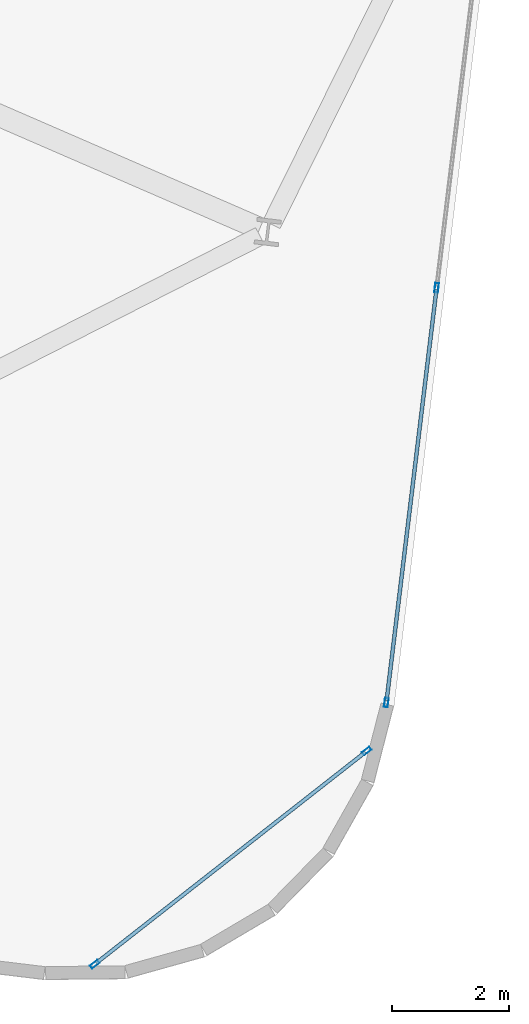
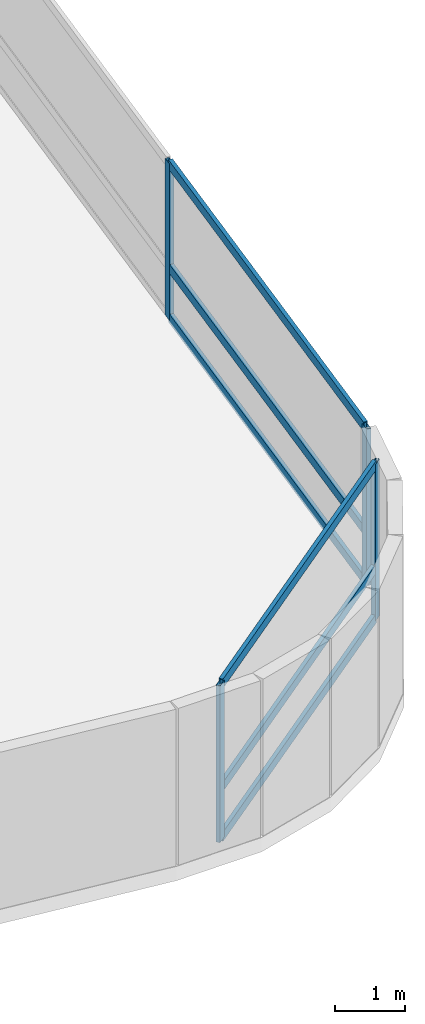
# One storey, part 14 of 26: 10 members, 2 elements without a shape of their own.
"""IFC4 building model written with IfcOpenShell, lengths in metres."""

from ifc_helpers import new_model, si_unit, direction, frame, origin, origin_2d, place, context, subcontext, project, spatial, hollow_rectangle, extrude, material, layer, layer_set, material_profile, profile_set, type_object, element, aggregate, save


model = new_model("IFC4")

# Units and contexts
model_context = context("Model", 3, precision=1e-05, world=origin(), true_north=direction((0.0, 1.0)))
body_context = subcontext(model_context, "Body", "Model", "MODEL_VIEW")
ifc_project = project(units=[si_unit("LENGTHUNIT", "METRE"), si_unit("AREAUNIT", "SQUARE_METRE"), si_unit("VOLUMEUNIT", "CUBIC_METRE"), si_unit("PLANEANGLEUNIT", "RADIAN"), si_unit("MASSUNIT", "GRAM", prefix="KILO")], contexts=[model_context])

# Site, building, storey
site_placement = place(None, origin())
site = spatial("IfcSite", under=ifc_project, at=site_placement, CompositionType="ELEMENT")
building_placement = place(site_placement, origin())
building = spatial("IfcBuilding", under=site, at=building_placement, Name="Varnelok Gate Tower", CompositionType="ELEMENT")
storey_placement = place(building_placement, frame((0.0, 0.0, 151.300048828125)))
storey = spatial("IfcBuildingStorey", under=building, at=storey_placement, Name="L38", CompositionType="ELEMENT", Elevation=151.300048828125)

# Curtain wall, members
ifc_material = material(Name="Anodized Aluminum Alloy 6063-T6", Category="aluminium")
ifc_layer_1 = layer(ifc_material, 0.179931640625)
ifc_layer_set_1 = layer_set([ifc_layer_1], Name="Anodized Aluminum Alloy 6063-T6")
curtain_wall_type_1 = type_object("IfcCurtainWallType", Name="CW3-HOTEL-VISION", PredefinedType="USERDEFINED", material=ifc_layer_set_1)
curtain_wall_1_placement = place(storey_placement, origin())
curtain_wall_1 = element("IfcCurtainWall", 1, at=curtain_wall_1_placement, inside=storey, type_object=curtain_wall_type_1, Name="L38 East End Vision Curtain Wall", ObjectType="UNITISED CURTAIN WALL", PredefinedType="USERDEFINED")
ifc_material_profile_1 = material_profile(ifc_material, hollow_rectangle(XDim=0.06494140625, YDim=0.159912109375, WallThickness=0.00390625, at=origin_2d()), Name="ALU160X65X4")
ifc_profile_set_1 = profile_set([ifc_material_profile_1], Name="Anodized Aluminum Alloy 6063-T6")
member_type_1 = type_object("IfcMemberType", Name="CW-MULL-160", PredefinedType="MULLION", material=ifc_profile_set_1)
member_1_placement = place(storey_placement, frame((74.69091796875, 10.118408203125, 0.0), z_axis=(0.0, 0.0, 1.0), x_axis=(0.99273188146, -0.120347046212, 0.0)))
member_1 = element("IfcMember", 2, at=member_1_placement, type_object=member_type_1, Name="CW3 mullion 5", PredefinedType="MULLION", context=body_context, shape_type="SweptSolid", body=[
    extrude(hollow_rectangle(XDim=0.06494140625, YDim=0.159912109375, WallThickness=0.00390625, at=origin_2d()), origin(), (0.0, 0.0, 1.0), 2.72998046875),
])
member_2_placement = place(storey_placement, frame((73.828369140625, 3.003173828125, 0.0), z_axis=(0.0, 0.0, 1.0), x_axis=(0.99273188146, -0.120347046212, 0.0)))
member_2 = element("IfcMember", 3, at=member_2_placement, type_object=member_type_1, Name="CW3 mullion 6", PredefinedType="MULLION", context=body_context, shape_type="SweptSolid", body=[
    extrude(hollow_rectangle(XDim=0.06494140625, YDim=0.159912109375, WallThickness=0.00390625, at=origin_2d()), origin(), (0.0, 0.0, 1.0), 2.72998046875),
])

ifc_layer_2 = layer(ifc_material, 0.179931640625)
ifc_layer_set_2 = layer_set([ifc_layer_2], Name="Anodized Aluminum Alloy 6063-T6")
curtain_wall_type_2 = type_object("IfcCurtainWallType", Name="CW5-WINDCORNER-GLAZ", PredefinedType="USERDEFINED", material=ifc_layer_set_2)
curtain_wall_2_placement = place(storey_placement, origin())
curtain_wall_2 = element("IfcCurtainWall", 4, at=curtain_wall_2_placement, inside=storey, type_object=curtain_wall_type_2, Name="L38 Wind-Shaped Corner Curtain Wall SE", ObjectType="STRUCTURAL GLAZING", PredefinedType="USERDEFINED")
member_3_placement = place(storey_placement, frame((68.824462890625, -1.48681640625, 0.0), z_axis=(0.0, 0.0, 1.0), x_axis=(-0.616864352232, 0.787069482921, 0.0)))
member_3 = element("IfcMember", 5, at=member_3_placement, type_object=member_type_1, Name="CW5 mullion 1", PredefinedType="MULLION", context=body_context, shape_type="SweptSolid", body=[
    extrude(hollow_rectangle(XDim=0.06494140625, YDim=0.159912109375, WallThickness=0.00390625, at=origin_2d()), origin(), (0.0, 0.0, 1.0), 2.72998046875),
])
member_4_placement = place(storey_placement, frame((73.492919921875, 2.171875, 0.0), z_axis=(0.0, 0.0, 1.0), x_axis=(-0.616864352232, 0.787069482921, 0.0)))
member_4 = element("IfcMember", 6, at=member_4_placement, type_object=member_type_1, Name="CW5 mullion 2", PredefinedType="MULLION", context=body_context, shape_type="SweptSolid", body=[
    extrude(hollow_rectangle(XDim=0.06494140625, YDim=0.159912109375, WallThickness=0.00390625, at=origin_2d()), origin(), (0.0, 0.0, 1.0), 2.72998046875),
])

# Member
ifc_material_profile_2 = material_profile(ifc_material, hollow_rectangle(XDim=0.06494140625, YDim=0.159912109375, WallThickness=0.00390625, at=origin_2d()), Name="ALU160X65X4")
ifc_profile_set_2 = profile_set([ifc_material_profile_2], Name="Anodized Aluminum Alloy 6063-T6")
member_type_2 = type_object("IfcMemberType", Name="CW-TRAN-160", PredefinedType="USERDEFINED", material=ifc_profile_set_2)
member_5_placement = place(storey_placement, frame((74.68701171875, 10.086181640625, 0.032470703125), z_axis=(-0.120344712857, -0.992732164326, 0.0), x_axis=(0.992732164326, -0.120344712857, 0.0)))
member_5 = element("IfcMember", 7, at=member_5_placement, type_object=member_type_2, Name="CW3 transom 5.1", ObjectType="TRANSOM", PredefinedType="USERDEFINED", context=body_context, shape_type="SweptSolid", body=[
    extrude(hollow_rectangle(XDim=0.06494140625, YDim=0.159912109375, WallThickness=0.00390625, at=origin_2d()), origin(), (0.0, 0.0, 1.0), 7.102294921875),
])

member_6_placement = place(storey_placement, frame((74.68701171875, 10.086181640625, 0.89990234375), z_axis=(-0.120344712857, -0.992732164326, 0.0), x_axis=(0.992732164326, -0.120344712857, 0.0)))
member_6 = element("IfcMember", 8, at=member_6_placement, type_object=member_type_2, Name="CW3 transom 5.2", ObjectType="TRANSOM", PredefinedType="USERDEFINED", context=body_context, shape_type="SweptSolid", body=[
    extrude(hollow_rectangle(XDim=0.06494140625, YDim=0.159912109375, WallThickness=0.00390625, at=origin_2d()), origin(), (0.0, 0.0, 1.0), 7.102294921875),
])

member_7_placement = place(storey_placement, frame((74.68701171875, 10.086181640625, 2.697509765625), z_axis=(-0.120344712857, -0.992732164326, 0.0), x_axis=(0.992732164326, -0.120344712857, 0.0)))
member_7 = element("IfcMember", 9, at=member_7_placement, type_object=member_type_2, Name="CW3 transom 5.3", ObjectType="TRANSOM", PredefinedType="USERDEFINED", context=body_context, shape_type="SweptSolid", body=[
    extrude(hollow_rectangle(XDim=0.06494140625, YDim=0.159912109375, WallThickness=0.00390625, at=origin_2d()), origin(), (0.0, 0.0, 1.0), 7.102294921875),
])

aggregate(curtain_wall_1, [member_1, member_2, member_5, member_6, member_7])

member_8_placement = place(storey_placement, frame((68.85009765625, -1.466796875, 0.032470703125), z_axis=(0.787074482704, 0.616857972856, 0.0), x_axis=(-0.616857972856, 0.787074482704, 0.0)))
member_8 = element("IfcMember", 10, at=member_8_placement, type_object=member_type_2, Name="CW5 transom 1.1", ObjectType="TRANSOM", PredefinedType="USERDEFINED", context=body_context, shape_type="SweptSolid", body=[
    extrude(hollow_rectangle(XDim=0.06494140625, YDim=0.159912109375, WallThickness=0.00390625, at=origin_2d()), origin(), (0.0, 0.0, 1.0), 5.8662109375),
])

member_9_placement = place(storey_placement, frame((68.85009765625, -1.466796875, 0.89990234375), z_axis=(0.787074482704, 0.616857972856, 0.0), x_axis=(-0.616857972856, 0.787074482704, 0.0)))
member_9 = element("IfcMember", 11, at=member_9_placement, type_object=member_type_2, Name="CW5 transom 1.2", ObjectType="TRANSOM", PredefinedType="USERDEFINED", context=body_context, shape_type="SweptSolid", body=[
    extrude(hollow_rectangle(XDim=0.06494140625, YDim=0.159912109375, WallThickness=0.00390625, at=origin_2d()), origin(), (0.0, 0.0, 1.0), 5.8662109375),
])

member_10_placement = place(storey_placement, frame((68.85009765625, -1.466796875, 2.697509765625), z_axis=(0.787074482704, 0.616857972856, 0.0), x_axis=(-0.616857972856, 0.787074482704, 0.0)))
member_10 = element("IfcMember", 12, at=member_10_placement, type_object=member_type_2, Name="CW5 transom 1.3", ObjectType="TRANSOM", PredefinedType="USERDEFINED", context=body_context, shape_type="SweptSolid", body=[
    extrude(hollow_rectangle(XDim=0.06494140625, YDim=0.159912109375, WallThickness=0.00390625, at=origin_2d()), origin(), (0.0, 0.0, 1.0), 5.8662109375),
])

aggregate(curtain_wall_2, [member_3, member_4, member_8, member_9, member_10])

save(model, "model.ifc")
